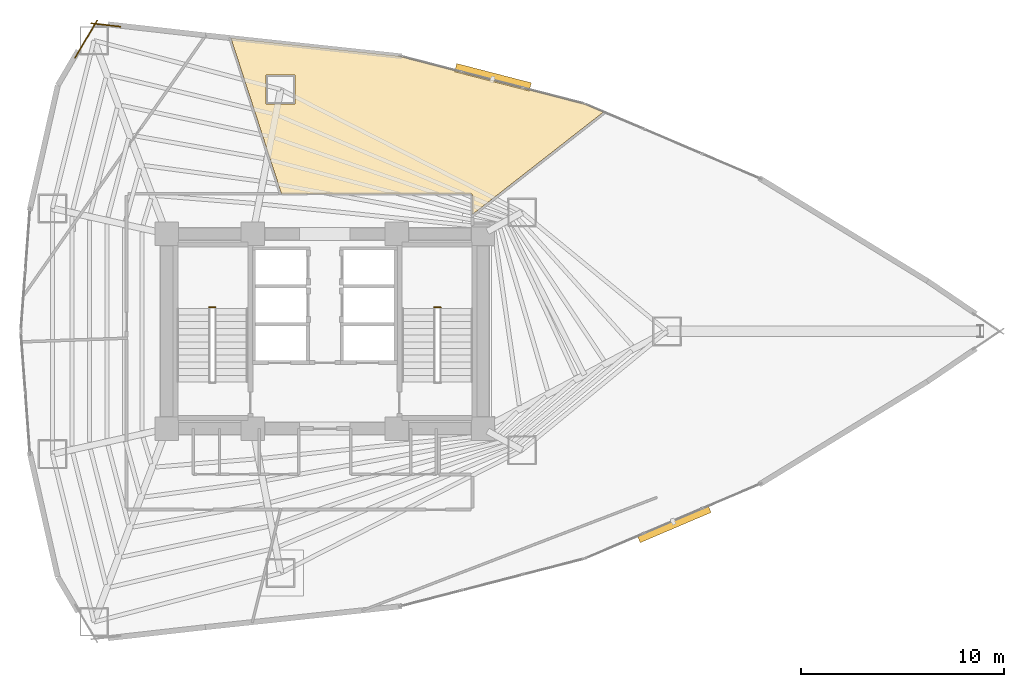
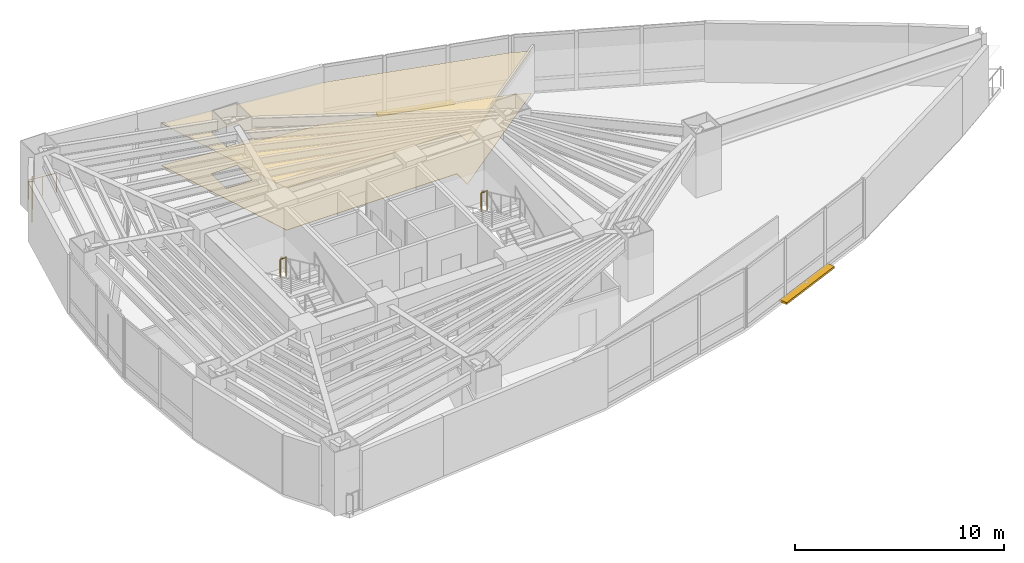
# One storey, part 19 of 20: 4 railings, 2 coverings, 2 shading devices.
"""IFC4 building model written with IfcOpenShell, lengths in metres."""

from ifc_helpers import new_model, si_unit, direction, frame, origin, origin_2d, place, context, subcontext, project, spatial, polyline, rectangle, circle, outline, extrude, material, layer, layer_set, type_object, element, save


model = new_model("IFC4")

# Units and contexts
model_context = context("Model", 3, precision=1e-05, world=origin(), true_north=direction((0.0, 1.0)))
body_context = subcontext(model_context, "Body", "Model", "MODEL_VIEW")
ifc_project = project(units=[si_unit("LENGTHUNIT", "METRE"), si_unit("AREAUNIT", "SQUARE_METRE"), si_unit("VOLUMEUNIT", "CUBIC_METRE"), si_unit("PLANEANGLEUNIT", "RADIAN"), si_unit("MASSUNIT", "GRAM", prefix="KILO")], contexts=[model_context])

# Site, building, storey
site_placement = place(None, origin())
site = spatial("IfcSite", under=ifc_project, at=site_placement, CompositionType="ELEMENT")
building_placement = place(site_placement, origin())
building = spatial("IfcBuilding", under=site, at=building_placement, Name="Menara Vayukalpa", CompositionType="ELEMENT")
storey_placement = place(building_placement, frame((0.0, 0.0, 61.080078125)))
storey = spatial("IfcBuildingStorey", under=building, at=storey_placement, Name="L14", CompositionType="ELEMENT", Elevation=61.080078125)

# Coverings
ifc_material_1 = material(Name="Mineral Fibre Acoustic Ceiling Tile", Category="masonry")
ifc_layer_1 = layer(ifc_material_1, 0.02490234375)
ifc_layer_set_1 = layer_set([ifc_layer_1], Name="Mineral Fibre Acoustic Ceiling Tile")
covering_type_1 = type_object("IfcCoveringType", Name="COV-CLG1", PredefinedType="CEILING", material=ifc_layer_set_1)
covering_1_placement = place(storey_placement, frame((0.0, 0.0, 2.449951171875)))
element("IfcCovering", 1, at=covering_1_placement, inside=storey, type_object=covering_type_1, Name="L14 Digital Engineering Lab Acoustic Ceiling", PredefinedType="CEILING", context=body_context, shape_type="SweptSolid", body=[
    extrude(outline(polyline([(38.416015625, 33.19677734375), (38.416748046875, 33.196533203125), (38.41748046875, 33.1962890625), (39.31787109375, 32.8125), (39.31884765625, 32.812255859375), (39.319580078125, 32.811767578125), (39.3203125, 32.81103515625), (39.3212890625, 32.810302734375), (39.32177734375, 32.8095703125), (39.322509765625, 32.808837890625), (39.322998046875, 32.80810546875), (39.3232421875, 32.80712890625), (39.323486328125, 32.80615234375), (39.32373046875, 32.80517578125), (39.323974609375, 32.80419921875), (39.323974609375, 32.80322265625), (39.323974609375, 32.80224609375), (39.32373046875, 32.80126953125), (39.323486328125, 32.80029296875), (39.3232421875, 32.79931640625), (39.32275390625, 32.798583984375), (39.322265625, 32.797607421875), (39.321533203125, 32.796875), (39.32080078125, 32.796142578125), (39.3203125, 32.79541015625), (32.88623046875, 27.768798828125), (32.885498046875, 27.768310546875), (32.884521484375, 27.767578125), (32.883544921875, 27.767333984375), (32.8828125, 27.76708984375), (32.8818359375, 27.766845703125), (32.880859375, 27.7666015625), (32.8798828125, 27.7666015625), (32.87890625, 27.7666015625), (32.8779296875, 27.766845703125), (32.876953125, 27.76708984375), (32.876220703125, 27.767333984375), (32.875244140625, 27.767822265625), (32.87451171875, 27.768310546875), (32.87353515625, 27.768798828125), (32.872802734375, 27.76953125), (32.872314453125, 27.770263671875), (32.87158203125, 27.77099609375), (32.87109375, 27.77197265625), (32.87060546875, 27.772705078125), (32.870361328125, 27.773681640625), (32.8701171875, 27.774658203125), (32.8701171875, 27.775634765625), (32.8701171875, 27.776611328125), (32.8701171875, 28.69970703125), (32.86962890625, 28.706787109375), (32.86865234375, 28.713623046875), (32.866943359375, 28.72021484375), (32.86474609375, 28.726806640625), (32.86181640625, 28.73291015625), (32.858154296875, 28.73876953125), (32.85400390625, 28.744384765625), (32.849609375, 28.74951171875), (32.844482421875, 28.75390625), (32.8388671875, 28.75830078125), (32.8330078125, 28.76171875), (32.826904296875, 28.7646484375), (32.8203125, 28.76708984375), (32.813720703125, 28.768798828125), (32.806884765625, 28.76953125), (32.7998046875, 28.77001953125), (23.470703125, 28.77001953125), (23.469482421875, 28.77001953125), (23.46875, 28.770263671875), (23.4677734375, 28.7705078125), (23.466796875, 28.770751953125), (23.466064453125, 28.77099609375), (23.465087890625, 28.771484375), (23.46435546875, 28.772216796875), (23.463623046875, 28.772705078125), (23.462890625, 28.773681640625), (23.46240234375, 28.7744140625), (23.4619140625, 28.775146484375), (23.46142578125, 28.77587890625), (23.461181640625, 28.77685546875), (20.973388671875, 36.433837890625), (20.972900390625, 36.434814453125), (20.972900390625, 36.435791015625), (20.972900390625, 36.436767578125), (20.972900390625, 36.437744140625), (20.972900390625, 36.438720703125), (20.97314453125, 36.439697265625), (20.973388671875, 36.440673828125), (20.973876953125, 36.44140625), (20.974365234375, 36.4423828125), (20.97509765625, 36.443115234375), (20.9755859375, 36.44384765625), (20.976318359375, 36.444580078125), (20.977294921875, 36.4453125), (20.97802734375, 36.44580078125), (20.97900390625, 36.446044921875), (20.97998046875, 36.446533203125), (20.98095703125, 36.44677734375), (20.98193359375, 36.447021484375), (20.98291015625, 36.447021484375), (20.98388671875, 36.44677734375), (29.28564453125, 35.55810546875), (29.287109375, 35.557861328125), (38.416015625, 33.19677734375)]), holes=[polyline([(24.134521484375, 33.207763671875), (24.134521484375, 34.6376953125), (22.704345703125, 34.6376953125), (22.704345703125, 33.207763671875), (24.134521484375, 33.207763671875)])]), origin(), (0.0, 0.0, 1.0), 0.02490234375),
])
ifc_material_2 = material(Name="Porcelain Stoneware Floor Tile", Category="masonry")
ifc_layer_2 = layer(ifc_material_2, 0.02001953125)
ifc_layer_set_2 = layer_set([ifc_layer_2], Name="Porcelain Stoneware Floor Tile")
covering_type_2 = type_object("IfcCoveringType", Name="COV-FLR1", PredefinedType="FLOORING", material=ifc_layer_set_2)
covering_2_placement = place(storey_placement, origin())
element("IfcCovering", 2, at=covering_2_placement, inside=storey, type_object=covering_type_2, Name="L14 Digital Engineering Lab Porcelain Flooring", PredefinedType="FLOORING", context=body_context, shape_type="SweptSolid", body=[
    extrude(outline(polyline([(38.416015625, 33.19677734375), (38.416748046875, 33.196533203125), (38.41748046875, 33.1962890625), (39.31787109375, 32.8125), (39.31884765625, 32.812255859375), (39.319580078125, 32.811767578125), (39.3203125, 32.81103515625), (39.3212890625, 32.810302734375), (39.32177734375, 32.8095703125), (39.322509765625, 32.808837890625), (39.322998046875, 32.80810546875), (39.3232421875, 32.80712890625), (39.323486328125, 32.80615234375), (39.32373046875, 32.80517578125), (39.323974609375, 32.80419921875), (39.323974609375, 32.80322265625), (39.323974609375, 32.80224609375), (39.32373046875, 32.80126953125), (39.323486328125, 32.80029296875), (39.3232421875, 32.79931640625), (39.32275390625, 32.798583984375), (39.322265625, 32.797607421875), (39.321533203125, 32.796875), (39.32080078125, 32.796142578125), (39.3203125, 32.79541015625), (32.88623046875, 27.768798828125), (32.885498046875, 27.768310546875), (32.884521484375, 27.767578125), (32.883544921875, 27.767333984375), (32.8828125, 27.76708984375), (32.8818359375, 27.766845703125), (32.880859375, 27.7666015625), (32.8798828125, 27.7666015625), (32.87890625, 27.7666015625), (32.8779296875, 27.766845703125), (32.876953125, 27.76708984375), (32.876220703125, 27.767333984375), (32.875244140625, 27.767822265625), (32.87451171875, 27.768310546875), (32.87353515625, 27.768798828125), (32.872802734375, 27.76953125), (32.872314453125, 27.770263671875), (32.87158203125, 27.77099609375), (32.87109375, 27.77197265625), (32.87060546875, 27.772705078125), (32.870361328125, 27.773681640625), (32.8701171875, 27.774658203125), (32.8701171875, 27.775634765625), (32.8701171875, 27.776611328125), (32.8701171875, 28.69970703125), (32.86962890625, 28.706787109375), (32.86865234375, 28.713623046875), (32.866943359375, 28.72021484375), (32.86474609375, 28.726806640625), (32.86181640625, 28.73291015625), (32.858154296875, 28.73876953125), (32.85400390625, 28.744384765625), (32.849609375, 28.74951171875), (32.844482421875, 28.75390625), (32.8388671875, 28.75830078125), (32.8330078125, 28.76171875), (32.826904296875, 28.7646484375), (32.8203125, 28.76708984375), (32.813720703125, 28.768798828125), (32.806884765625, 28.76953125), (32.7998046875, 28.77001953125), (23.470703125, 28.77001953125), (23.469482421875, 28.77001953125), (23.46875, 28.770263671875), (23.4677734375, 28.7705078125), (23.466796875, 28.770751953125), (23.466064453125, 28.77099609375), (23.465087890625, 28.771484375), (23.46435546875, 28.772216796875), (23.463623046875, 28.772705078125), (23.462890625, 28.773681640625), (23.46240234375, 28.7744140625), (23.4619140625, 28.775146484375), (23.46142578125, 28.77587890625), (23.461181640625, 28.77685546875), (20.973388671875, 36.433837890625), (20.972900390625, 36.434814453125), (20.972900390625, 36.435791015625), (20.972900390625, 36.436767578125), (20.972900390625, 36.437744140625), (20.972900390625, 36.438720703125), (20.97314453125, 36.439697265625), (20.973388671875, 36.440673828125), (20.973876953125, 36.44140625), (20.974365234375, 36.4423828125), (20.97509765625, 36.443115234375), (20.9755859375, 36.44384765625), (20.976318359375, 36.444580078125), (20.977294921875, 36.4453125), (20.97802734375, 36.44580078125), (20.97900390625, 36.446044921875), (20.97998046875, 36.446533203125), (20.98095703125, 36.44677734375), (20.98193359375, 36.447021484375), (20.98291015625, 36.447021484375), (20.98388671875, 36.44677734375), (29.28564453125, 35.55810546875), (29.287109375, 35.557861328125), (38.416015625, 33.19677734375)]), holes=[polyline([(24.134521484375, 33.207763671875), (24.134521484375, 34.6376953125), (22.704345703125, 34.6376953125), (22.704345703125, 33.207763671875), (24.134521484375, 33.207763671875)])]), origin(), (0.0, 0.0, 1.0), 0.02001953125),
])

# Railings
ifc_material_3 = material(Name="Laminated Glass and Stainless Steel 316 Guardrail", Category="steel")
railing_type_1 = type_object("IfcRailingType", Name="RLG-EXT115", PredefinedType="GUARDRAIL", material=ifc_material_3)
railing_1_placement = place(storey_placement, frame((15.52294921875, 37.017822265625, 0.0)))
element("IfcRailing", 3, at=railing_1_placement, inside=storey, type_object=railing_type_1, Name="L14 Column Corner Spandrel Guardrail 07-1", PredefinedType="GUARDRAIL", context=body_context, shape_type="SweptSolid", body=[
    extrude(circle(Radius=0.02392578125, at=origin_2d()), frame((0.0, 0.0, 1.1259765625), z_axis=(-0.993641249981, 0.112592479038, 0.0), x_axis=(-0.112592479038, -0.993641249981, 0.0)), (0.0, 0.0, 1.0), 1.45068359375),
    extrude(circle(Radius=0.02099609375, at=origin_2d()), origin(), (0.0, 0.0, 1.0), 1.101806640625),
    extrude(circle(Radius=0.02099609375, at=origin_2d()), frame((-0.720703125, 0.08154296875, 0.0)), (0.0, 0.0, 1.0), 1.101806640625),
    extrude(circle(Radius=0.02099609375, at=origin_2d()), frame((-1.44140625, 0.163330078125, 0.0)), (0.0, 0.0, 1.0), 1.101806640625),
])
railing_2_placement = place(storey_placement, frame((14.370361328125, 37.325439453125, 0.0)))
element("IfcRailing", 4, at=railing_2_placement, inside=storey, type_object=railing_type_1, Name="L14 Column Corner Spandrel Guardrail 08-1", PredefinedType="GUARDRAIL", context=body_context, shape_type="SweptSolid", body=[
    extrude(circle(Radius=0.02392578125, at=origin_2d()), frame((0.0, 0.0, 1.1259765625), z_axis=(-0.506816821418, -0.862053774151, 0.0), x_axis=(0.862053774151, -0.506816821418, 0.0)), (0.0, 0.0, 1.0), 2.15185546875),
    extrude(circle(Radius=0.02099609375, at=origin_2d()), origin(), (0.0, 0.0, 1.0), 1.101806640625),
    extrude(circle(Radius=0.02099609375, at=origin_2d()), frame((-0.54541015625, -0.927490234375, 0.0)), (0.0, 0.0, 1.0), 1.101806640625),
    extrude(circle(Radius=0.02099609375, at=origin_2d()), frame((-1.090576171875, -1.85498046875, 0.0)), (0.0, 0.0, 1.0), 1.101806640625),
])
ifc_material_4 = material(Name="Powder-Coated Galvanised Steel Guardrail", Category="steel")
railing_type_2 = type_object("IfcRailingType", Name="RLG-STG110", PredefinedType="GUARDRAIL", material=ifc_material_4)
for number, where, name in (
    (5, (20.2099609375, 23.179931640625, 1.85986328125), "L14 ST-1 stair guard 2"),
    (6, (31.31005859375, 23.179931640625, 1.85986328125), "L14 ST-2 stair guard 2"),
):
    element("IfcRailing", number, at=place(storey_placement, frame(where)), inside=storey, type_object=railing_type_2, Name=name, PredefinedType="GUARDRAIL", context=body_context, shape_type="SweptSolid", body=[
        extrude(circle(Radius=0.02392578125, at=origin_2d()), frame((0.0, 0.0, 1.09619140625), z_axis=(-1.0, 0.0, 0.0), x_axis=(0.0, -1.0, 0.0)), (0.0, 0.0, 1.0), 0.320068359375),
        extrude(circle(Radius=0.02099609375, at=origin_2d()), origin(), (0.0, 0.0, 1.0), 1.072021484375),
        extrude(circle(Radius=0.02099609375, at=origin_2d()), frame((-0.320068359375, 0.0, 0.0)), (0.0, 0.0, 1.0), 1.072021484375),
    ])

# Shading devices
ifc_material_5 = material(Name="Glazed Terracotta Ceramic Baguette Extrusion", Category="masonry")
ifc_layer_3 = layer(ifc_material_5, 0.1201171875)
ifc_layer_set_3 = layer_set([ifc_layer_3], Name="Glazed Terracotta Ceramic Baguette Extrusion")
shading_device_type = type_object("IfcShadingDeviceType", Name="SHD-SS1", PredefinedType="USERDEFINED", material=ifc_layer_set_3)
for number, where, z_axis, x_axis, name in (
    (7, (33.88916015625, 34.5224609375, -0.10009765625), (0.0, 0.0, 1.0), (-0.968143270275, 0.25039690138, 0.0), "L14 Horizontal Terracotta Sunshade Band 05"),
    (8, (42.813720703125, 12.513916015625, -0.10009765625), (0.0, 0.0, 1.0), (0.919958392769, 0.392016014434, 0.0), "L14 Horizontal Terracotta Sunshade Band 17"),
):
    element("IfcShadingDevice", number, at=place(storey_placement, frame(where, z_axis=z_axis, x_axis=x_axis)), inside=storey, type_object=shading_device_type, Name=name, ObjectType="SUNSHADE", PredefinedType="USERDEFINED", context=body_context, shape_type="SweptSolid", body=[
        extrude(rectangle(XDim=3.800048828125, YDim=0.419921875, at=origin_2d()), origin(), (0.0, 0.0, 1.0), 0.1201171875),
    ])

save(model, "model.ifc")
